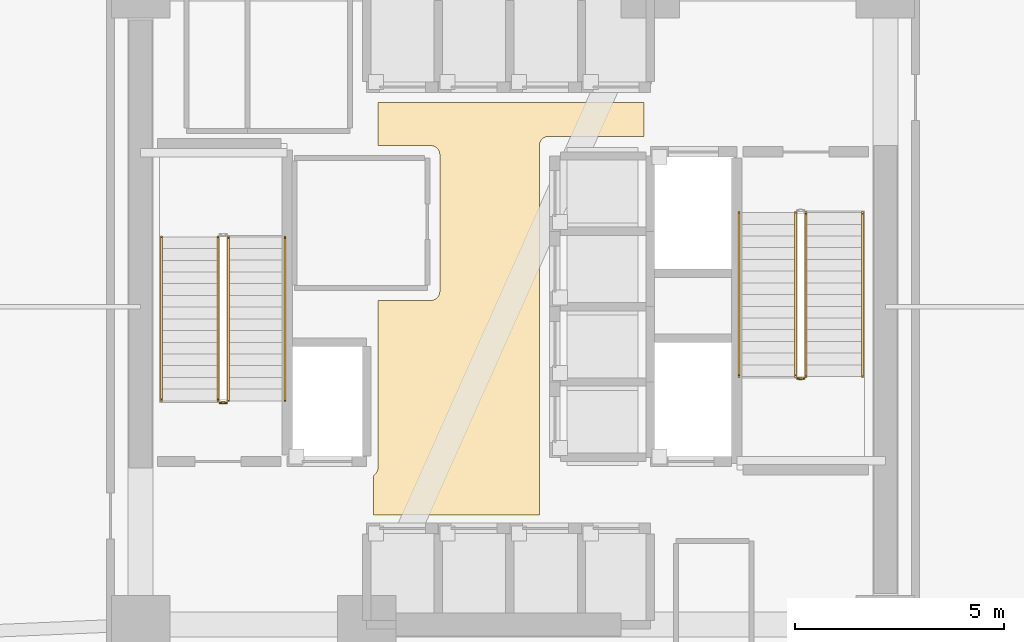
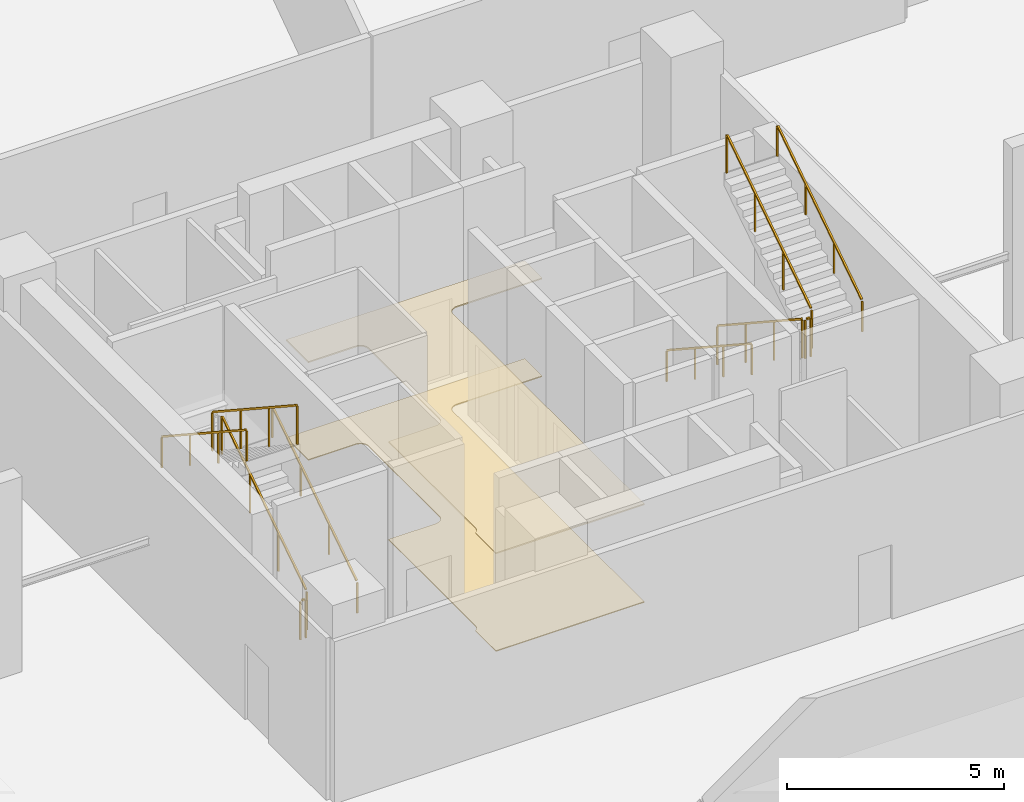
# One storey, part 22 of 27: 10 railings, 2 coverings.
"""IFC4 building model written with IfcOpenShell, lengths in metres."""

from ifc_helpers import new_model, si_unit, direction, frame, origin, origin_2d, place, context, subcontext, project, spatial, polyline, rectangle, outline, extrude, material, layer, layer_set, type_object, element, save


model = new_model("IFC4")

# Units and contexts
model_context = context("Model", 3, precision=1e-05, world=origin(), true_north=direction((0.0, 1.0)))
body_context = subcontext(model_context, "Body", "Model", "MODEL_VIEW")
ifc_project = project(units=[si_unit("LENGTHUNIT", "METRE"), si_unit("AREAUNIT", "SQUARE_METRE"), si_unit("VOLUMEUNIT", "CUBIC_METRE"), si_unit("PLANEANGLEUNIT", "RADIAN"), si_unit("MASSUNIT", "GRAM", prefix="KILO")], contexts=[model_context])

# Site, building, storey
site_placement = place(None, origin())
site = spatial("IfcSite", under=ifc_project, at=site_placement, CompositionType="ELEMENT")
building_placement = place(site_placement, origin())
building = spatial("IfcBuilding", under=site, at=building_placement, Name="Tharavind Bronze Gate", CompositionType="ELEMENT")
storey_placement = place(building_placement, origin())
storey = spatial("IfcBuildingStorey", under=building, at=storey_placement, Name="L00", CompositionType="ELEMENT", Elevation=0.0)

# Coverings
ifc_material_1 = material(Name="Perforated Bronze Acoustic Panel", Category="bronze")
ifc_layer_1 = layer(ifc_material_1, 0.044921875)
ifc_layer_set_1 = layer_set([ifc_layer_1], Name="Perforated Bronze Acoustic Panel")
covering_type_1 = type_object("IfcCoveringType", Name="ACOUSTIC BRONZE BAFFLE CEILING", PredefinedType="CEILING", material=ifc_layer_set_1)
covering_1_placement = place(storey_placement, frame((0.0, 0.0, 2.75)))
element("IfcCovering", 1, at=covering_1_placement, inside=storey, type_object=covering_type_1, Name="L00-C-LL suspended ceiling", PredefinedType="CEILING", context=body_context, shape_type="SweptSolid", body=[
    extrude(outline(polyline([(-3.330078125, -4.97998046875), (0.6298828125, -4.97998046875), (0.6298828125, 3.85009765625), (0.631103515625, 3.87158203125), (0.63427734375, 3.892822265625), (0.639404296875, 3.913818359375), (0.646728515625, 3.93408203125), (0.656005859375, 3.95361328125), (0.6669921875, 3.97216796875), (0.679931640625, 3.989501953125), (0.6943359375, 4.005615234375), (0.71044921875, 4.02001953125), (0.727783203125, 4.032958984375), (0.746337890625, 4.0439453125), (0.765869140625, 4.05322265625), (0.7861328125, 4.060546875), (0.80712890625, 4.06591796875), (0.828369140625, 4.06884765625), (0.85009765625, 4.070068359375), (3.1298828125, 4.070068359375), (3.1298828125, 4.8798828125), (-3.22998046875, 4.8798828125), (-3.22998046875, 3.85009765625), (-1.969970703125, 3.85009765625), (-1.948486328125, 3.848876953125), (-1.927001953125, 3.845703125), (-1.906005859375, 3.840576171875), (-1.8857421875, 3.833251953125), (-1.8662109375, 3.823974609375), (-1.847900390625, 3.81298828125), (-1.830322265625, 3.800048828125), (-1.814453125, 3.78564453125), (-1.7998046875, 3.76953125), (-1.787109375, 3.752197265625), (-1.77587890625, 3.733642578125), (-1.7666015625, 3.714111328125), (-1.759521484375, 3.69384765625), (-1.754150390625, 3.6728515625), (-1.751220703125, 3.651611328125), (-1.75, 3.6298828125), (-1.75, 0.3701171875), (-1.751220703125, 0.348388671875), (-1.754150390625, 0.3271484375), (-1.759521484375, 0.30615234375), (-1.7666015625, 0.285888671875), (-1.77587890625, 0.266357421875), (-1.787109375, 0.247802734375), (-1.7998046875, 0.23046875), (-1.814453125, 0.21435546875), (-1.830322265625, 0.199951171875), (-1.847900390625, 0.18701171875), (-1.8662109375, 0.176025390625), (-1.8857421875, 0.166748046875), (-1.906005859375, 0.159423828125), (-1.927001953125, 0.154296875), (-1.948486328125, 0.151123046875), (-1.969970703125, 0.14990234375), (-3.22998046875, 0.14990234375), (-3.22998046875, -3.85009765625), (-3.231201171875, -3.87158203125), (-3.234130859375, -3.892822265625), (-3.239501953125, -3.913818359375), (-3.24658203125, -3.93408203125), (-3.256103515625, -3.95361328125), (-3.26708984375, -3.97216796875), (-3.27978515625, -3.989501953125), (-3.29443359375, -4.005615234375), (-3.310302734375, -4.02001953125), (-3.327880859375, -4.032958984375), (-3.330078125, -4.0341796875), (-3.330078125, -4.97998046875)])), origin(), (0.0, 0.0, 1.0), 0.034912109375),
])
ifc_material_2 = material(Name="Honed Travertine Limestone", Category="masonry")
ifc_layer_2 = layer(ifc_material_2, 0.030029296875)
ifc_layer_set_2 = layer_set([ifc_layer_2], Name="Honed Travertine Limestone")
covering_type_2 = type_object("IfcCoveringType", Name="HONED LIMESTONE FLOORING", PredefinedType="FLOORING", material=ifc_layer_set_2)
covering_2_placement = place(storey_placement, origin())
element("IfcCovering", 2, at=covering_2_placement, inside=storey, type_object=covering_type_2, Name="L00-C-LL floor finish", PredefinedType="FLOORING", context=body_context, shape_type="SweptSolid", body=[
    extrude(outline(polyline([(-3.330078125, -4.97998046875), (0.6298828125, -4.97998046875), (0.6298828125, 3.85009765625), (0.631103515625, 3.87158203125), (0.63427734375, 3.892822265625), (0.639404296875, 3.913818359375), (0.646728515625, 3.93408203125), (0.656005859375, 3.95361328125), (0.6669921875, 3.97216796875), (0.679931640625, 3.989501953125), (0.6943359375, 4.005615234375), (0.71044921875, 4.02001953125), (0.727783203125, 4.032958984375), (0.746337890625, 4.0439453125), (0.765869140625, 4.05322265625), (0.7861328125, 4.060546875), (0.80712890625, 4.06591796875), (0.828369140625, 4.06884765625), (0.85009765625, 4.070068359375), (3.1298828125, 4.070068359375), (3.1298828125, 4.8798828125), (-3.22998046875, 4.8798828125), (-3.22998046875, 3.85009765625), (-1.969970703125, 3.85009765625), (-1.948486328125, 3.848876953125), (-1.927001953125, 3.845703125), (-1.906005859375, 3.840576171875), (-1.8857421875, 3.833251953125), (-1.8662109375, 3.823974609375), (-1.847900390625, 3.81298828125), (-1.830322265625, 3.800048828125), (-1.814453125, 3.78564453125), (-1.7998046875, 3.76953125), (-1.787109375, 3.752197265625), (-1.77587890625, 3.733642578125), (-1.7666015625, 3.714111328125), (-1.759521484375, 3.69384765625), (-1.754150390625, 3.6728515625), (-1.751220703125, 3.651611328125), (-1.75, 3.6298828125), (-1.75, 0.3701171875), (-1.751220703125, 0.348388671875), (-1.754150390625, 0.3271484375), (-1.759521484375, 0.30615234375), (-1.7666015625, 0.285888671875), (-1.77587890625, 0.266357421875), (-1.787109375, 0.247802734375), (-1.7998046875, 0.23046875), (-1.814453125, 0.21435546875), (-1.830322265625, 0.199951171875), (-1.847900390625, 0.18701171875), (-1.8662109375, 0.176025390625), (-1.8857421875, 0.166748046875), (-1.906005859375, 0.159423828125), (-1.927001953125, 0.154296875), (-1.948486328125, 0.151123046875), (-1.969970703125, 0.14990234375), (-3.22998046875, 0.14990234375), (-3.22998046875, -3.85009765625), (-3.231201171875, -3.87158203125), (-3.234130859375, -3.892822265625), (-3.239501953125, -3.913818359375), (-3.24658203125, -3.93408203125), (-3.256103515625, -3.95361328125), (-3.26708984375, -3.97216796875), (-3.27978515625, -3.989501953125), (-3.29443359375, -4.005615234375), (-3.310302734375, -4.02001953125), (-3.327880859375, -4.032958984375), (-3.330078125, -4.0341796875), (-3.330078125, -4.97998046875)])), origin(), (0.0, 0.0, 1.0), 0.02490234375),
])

# Railings
ifc_material_3 = material(Name="Brushed Bronze Alloy", Category="metal")
railing_type_1 = type_object("IfcRailingType", Name="STAIR BRONZE HANDRAIL 900", PredefinedType="HANDRAIL", material=ifc_material_3)
railing_1_placement = place(storey_placement, frame((-5.449951171875, -2.25, 0.183349609375)))
element("IfcRailing", 3, at=railing_1_placement, inside=storey, type_object=railing_type_1, Name="L00 ST1 stair handrail 1", PredefinedType="HANDRAIL", context=body_context, shape_type="SweptSolid", body=[
    extrude(rectangle(XDim=0.048095703125, YDim=0.048095703125, at=origin_2d()), frame((0.0, 0.02685546875, 0.893310546875), z_axis=(0.0, 0.836615117243, 0.547791151444), x_axis=(-1.0, 0.0, 0.0)), (0.0, 0.0, 1.0), 4.621337890625),
    extrude(rectangle(XDim=0.0400390625, YDim=0.0400390625, at=origin_2d()), origin(), (0.0, 0.0, 1.0), 0.847900390625),
    extrude(rectangle(XDim=0.0400390625, YDim=0.0400390625, at=origin_2d()), frame((0.0, 1.306640625, 0.85546875)), (0.0, 0.0, 1.0), 0.847900390625),
    extrude(rectangle(XDim=0.0400390625, YDim=0.0400390625, at=origin_2d()), frame((0.0, 2.61328125, 1.711181640625)), (0.0, 0.0, 1.0), 0.847900390625),
    extrude(rectangle(XDim=0.0400390625, YDim=0.0400390625, at=origin_2d()), frame((0.0, 3.919921875, 2.566650390625)), (0.0, 0.0, 1.0), 0.847900390625),
])
for number, where, name in (
    (4, (-8.39990234375, 1.669921875, 2.933349609375), "L00 ST1 stair handrail 2"),
    (5, (5.39990234375, 2.25, 0.183349609375), "L00 ST2 stair handrail 1"),
):
    element("IfcRailing", number, at=place(storey_placement, frame(where)), inside=storey, type_object=railing_type_1, Name=name, PredefinedType="HANDRAIL", context=body_context, shape_type="SweptSolid", body=[
        extrude(rectangle(XDim=0.048095703125, YDim=0.048095703125, at=origin_2d()), frame((0.0, -0.02685546875, 0.893310546875), z_axis=(0.0, -0.836615117243, 0.547791151444), x_axis=(1.0, 0.0, 0.0)), (0.0, 0.0, 1.0), 4.621337890625),
        extrude(rectangle(XDim=0.0400390625, YDim=0.0400390625, at=origin_2d()), origin(), (0.0, 0.0, 1.0), 0.847900390625),
        extrude(rectangle(XDim=0.0400390625, YDim=0.0400390625, at=origin_2d()), frame((0.0, -1.306640625, 0.85546875)), (0.0, 0.0, 1.0), 0.847900390625),
        extrude(rectangle(XDim=0.0400390625, YDim=0.0400390625, at=origin_2d()), frame((0.0, -2.61328125, 1.711181640625)), (0.0, 0.0, 1.0), 0.847900390625),
        extrude(rectangle(XDim=0.0400390625, YDim=0.0400390625, at=origin_2d()), frame((0.0, -3.919921875, 2.566650390625)), (0.0, 0.0, 1.0), 0.847900390625),
    ])
railing_2_placement = place(storey_placement, frame((8.35009765625, -1.669921875, 2.933349609375)))
element("IfcRailing", 6, at=railing_2_placement, inside=storey, type_object=railing_type_1, Name="L00 ST2 stair handrail 2", PredefinedType="HANDRAIL", context=body_context, shape_type="SweptSolid", body=[
    extrude(rectangle(XDim=0.048095703125, YDim=0.048095703125, at=origin_2d()), frame((0.0, 0.02685546875, 0.893310546875), z_axis=(0.0, 0.836615117243, 0.547791151444), x_axis=(-1.0, 0.0, 0.0)), (0.0, 0.0, 1.0), 4.621337890625),
    extrude(rectangle(XDim=0.0400390625, YDim=0.0400390625, at=origin_2d()), origin(), (0.0, 0.0, 1.0), 0.847900390625),
    extrude(rectangle(XDim=0.0400390625, YDim=0.0400390625, at=origin_2d()), frame((0.0, 1.306640625, 0.85546875)), (0.0, 0.0, 1.0), 0.847900390625),
    extrude(rectangle(XDim=0.0400390625, YDim=0.0400390625, at=origin_2d()), frame((0.0, 2.61328125, 1.711181640625)), (0.0, 0.0, 1.0), 0.847900390625),
    extrude(rectangle(XDim=0.0400390625, YDim=0.0400390625, at=origin_2d()), frame((0.0, 3.919921875, 2.566650390625)), (0.0, 0.0, 1.0), 0.847900390625),
])
railing_type_2 = type_object("IfcRailingType", Name="STAIR WELL GUARD RAILING 1120", PredefinedType="GUARDRAIL", material=ifc_material_3)
railing_3_placement = place(storey_placement, frame((-6.800048828125, -2.25, 0.183349609375)))
element("IfcRailing", 7, at=railing_3_placement, inside=storey, type_object=railing_type_2, Name="L00 ST1 stair guard 1", PredefinedType="GUARDRAIL", context=body_context, shape_type="SweptSolid", body=[
    extrude(rectangle(XDim=0.048095703125, YDim=0.048095703125, at=origin_2d()), frame((0.0, 0.02685546875, 1.113525390625), z_axis=(0.0, 0.836615117243, 0.547791151444), x_axis=(-1.0, 0.0, 0.0)), (0.0, 0.0, 1.0), 4.621337890625),
    extrude(rectangle(XDim=0.0400390625, YDim=0.0400390625, at=origin_2d()), origin(), (0.0, 0.0, 1.0), 1.068115234375),
    extrude(rectangle(XDim=0.0400390625, YDim=0.0400390625, at=origin_2d()), frame((0.0, 1.306640625, 0.85546875)), (0.0, 0.0, 1.0), 1.068115234375),
    extrude(rectangle(XDim=0.0400390625, YDim=0.0400390625, at=origin_2d()), frame((0.0, 2.61328125, 1.711181640625)), (0.0, 0.0, 1.0), 1.068115234375),
    extrude(rectangle(XDim=0.0400390625, YDim=0.0400390625, at=origin_2d()), frame((0.0, 3.919921875, 2.566650390625)), (0.0, 0.0, 1.0), 1.068115234375),
])
railing_4_placement = place(storey_placement, frame((-7.050048828125, 1.669921875, 2.933349609375)))
element("IfcRailing", 8, at=railing_4_placement, inside=storey, type_object=railing_type_2, Name="L00 ST1 stair guard 3", PredefinedType="GUARDRAIL", context=body_context, shape_type="SweptSolid", body=[
    extrude(rectangle(XDim=0.048095703125, YDim=0.048095703125, at=origin_2d()), frame((0.0, -0.02685546875, 1.113525390625), z_axis=(0.0, -0.836615117243, 0.547791151444), x_axis=(1.0, 0.0, 0.0)), (0.0, 0.0, 1.0), 4.621337890625),
    extrude(rectangle(XDim=0.0400390625, YDim=0.0400390625, at=origin_2d()), origin(), (0.0, 0.0, 1.0), 1.068115234375),
    extrude(rectangle(XDim=0.0400390625, YDim=0.0400390625, at=origin_2d()), frame((0.0, -1.306640625, 0.85546875)), (0.0, 0.0, 1.0), 1.068115234375),
    extrude(rectangle(XDim=0.0400390625, YDim=0.0400390625, at=origin_2d()), frame((0.0, -2.61328125, 1.711181640625)), (0.0, 0.0, 1.0), 1.068115234375),
    extrude(rectangle(XDim=0.0400390625, YDim=0.0400390625, at=origin_2d()), frame((0.0, -3.919921875, 2.566650390625)), (0.0, 0.0, 1.0), 1.068115234375),
])
railing_5_placement = place(storey_placement, frame((-6.85009765625, -2.300048828125, 0.0)))
element("IfcRailing", 9, at=railing_5_placement, inside=storey, type_object=railing_type_2, Name="L00 ST1 stair guard 4", PredefinedType="GUARDRAIL", context=body_context, shape_type="SweptSolid", body=[
    extrude(rectangle(XDim=0.048095703125, YDim=0.048095703125, at=origin_2d()), frame((-0.031982421875, 0.0, 1.09619140625), z_axis=(-1.0, 0.0, 0.0), x_axis=(0.0, -1.0, 0.0)), (0.0, 0.0, 1.0), 0.0859375),
    extrude(rectangle(XDim=0.0400390625, YDim=0.0400390625, at=origin_2d()), origin(), (0.0, 0.0, 1.0), 1.068115234375),
    extrude(rectangle(XDim=0.0400390625, YDim=0.0400390625, at=origin_2d()), frame((-0.14990234375, 0.0, 0.0)), (0.0, 0.0, 1.0), 1.068115234375),
])
railing_6_placement = place(storey_placement, frame((6.75, 2.25, 0.183349609375)))
element("IfcRailing", 10, at=railing_6_placement, inside=storey, type_object=railing_type_2, Name="L00 ST2 stair guard 1", PredefinedType="GUARDRAIL", context=body_context, shape_type="SweptSolid", body=[
    extrude(rectangle(XDim=0.048095703125, YDim=0.048095703125, at=origin_2d()), frame((0.0, -0.02685546875, 1.113525390625), z_axis=(0.0, -0.836615117243, 0.547791151444), x_axis=(1.0, 0.0, 0.0)), (0.0, 0.0, 1.0), 4.621337890625),
    extrude(rectangle(XDim=0.0400390625, YDim=0.0400390625, at=origin_2d()), origin(), (0.0, 0.0, 1.0), 1.068115234375),
    extrude(rectangle(XDim=0.0400390625, YDim=0.0400390625, at=origin_2d()), frame((0.0, -1.306640625, 0.85546875)), (0.0, 0.0, 1.0), 1.068115234375),
    extrude(rectangle(XDim=0.0400390625, YDim=0.0400390625, at=origin_2d()), frame((0.0, -2.61328125, 1.711181640625)), (0.0, 0.0, 1.0), 1.068115234375),
    extrude(rectangle(XDim=0.0400390625, YDim=0.0400390625, at=origin_2d()), frame((0.0, -3.919921875, 2.566650390625)), (0.0, 0.0, 1.0), 1.068115234375),
])
railing_7_placement = place(storey_placement, frame((6.800048828125, -1.719970703125, 2.75)))
element("IfcRailing", 11, at=railing_7_placement, inside=storey, type_object=railing_type_2, Name="L00 ST2 stair guard 2", PredefinedType="GUARDRAIL", context=body_context, shape_type="SweptSolid", body=[
    extrude(rectangle(XDim=0.048095703125, YDim=0.048095703125, at=origin_2d()), frame((0.031982421875, 0.0, 1.09619140625), z_axis=(1.0, 0.0, 0.0), x_axis=(0.0, 1.0, 0.0)), (0.0, 0.0, 1.0), 0.0859375),
    extrude(rectangle(XDim=0.0400390625, YDim=0.0400390625, at=origin_2d()), origin(), (0.0, 0.0, 1.0), 1.068115234375),
    extrude(rectangle(XDim=0.0400390625, YDim=0.0400390625, at=origin_2d()), frame((0.14990234375, 0.0, 0.0)), (0.0, 0.0, 1.0), 1.068115234375),
])
railing_8_placement = place(storey_placement, frame((7.0, -1.669921875, 2.933349609375)))
element("IfcRailing", 12, at=railing_8_placement, inside=storey, type_object=railing_type_2, Name="L00 ST2 stair guard 3", PredefinedType="GUARDRAIL", context=body_context, shape_type="SweptSolid", body=[
    extrude(rectangle(XDim=0.048095703125, YDim=0.048095703125, at=origin_2d()), frame((0.0, 0.02685546875, 1.113525390625), z_axis=(0.0, 0.836615117243, 0.547791151444), x_axis=(-1.0, 0.0, 0.0)), (0.0, 0.0, 1.0), 4.621337890625),
    extrude(rectangle(XDim=0.0400390625, YDim=0.0400390625, at=origin_2d()), origin(), (0.0, 0.0, 1.0), 1.068115234375),
    extrude(rectangle(XDim=0.0400390625, YDim=0.0400390625, at=origin_2d()), frame((0.0, 1.306640625, 0.85546875)), (0.0, 0.0, 1.0), 1.068115234375),
    extrude(rectangle(XDim=0.0400390625, YDim=0.0400390625, at=origin_2d()), frame((0.0, 2.61328125, 1.711181640625)), (0.0, 0.0, 1.0), 1.068115234375),
    extrude(rectangle(XDim=0.0400390625, YDim=0.0400390625, at=origin_2d()), frame((0.0, 3.919921875, 2.566650390625)), (0.0, 0.0, 1.0), 1.068115234375),
])

save(model, "model.ifc")
